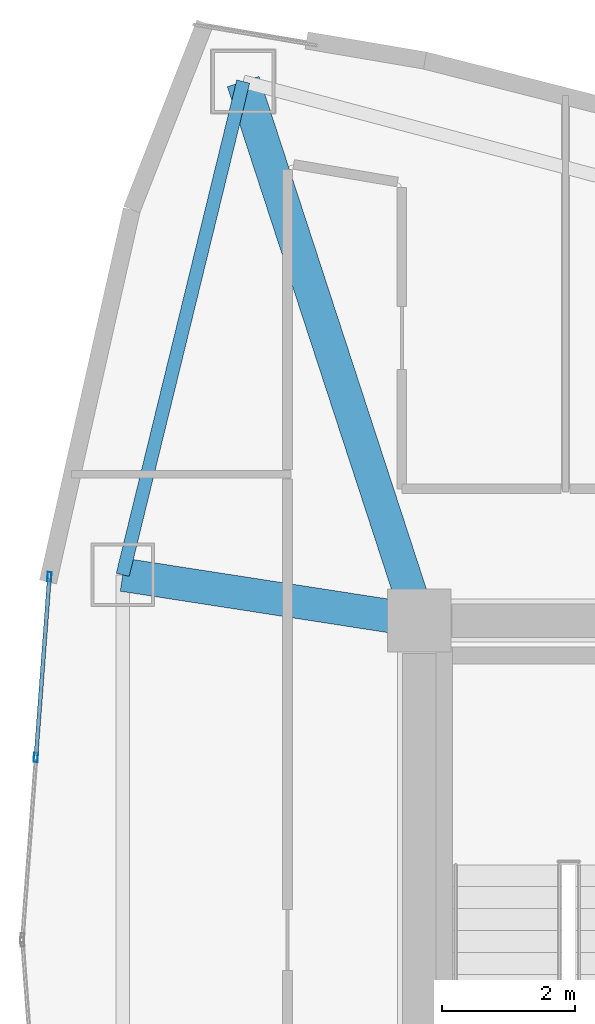
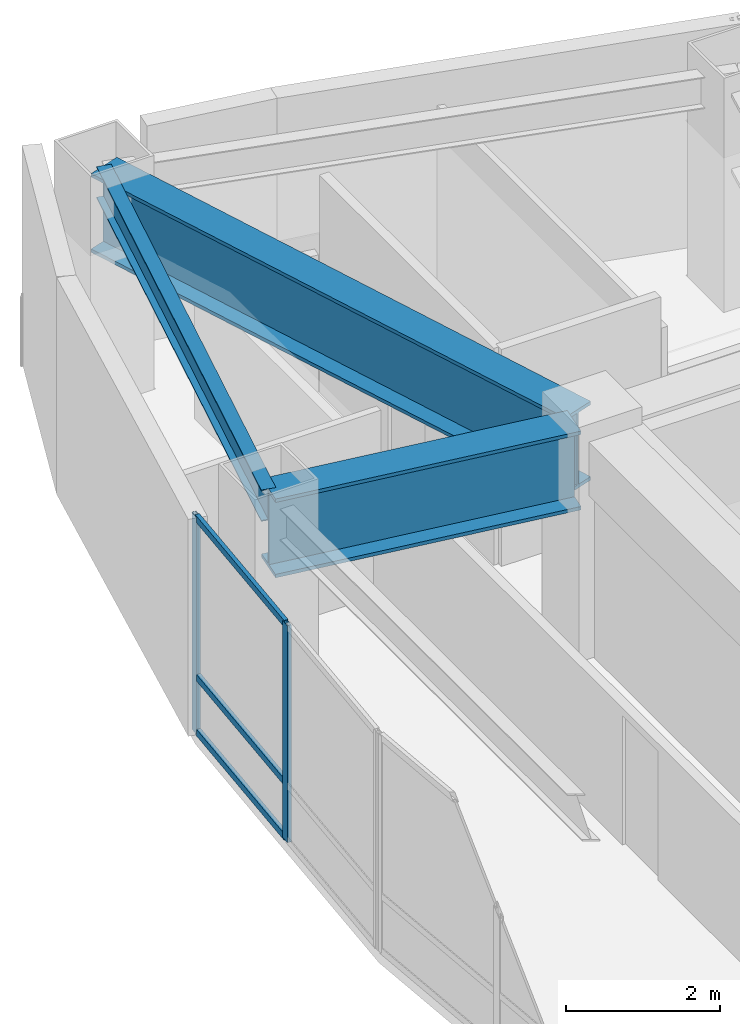
# One storey, part 7 of 15: 5 members, 3 beams, 1 element without a shape of its own.
"""IFC4 building model written with IfcOpenShell, lengths in metres."""

from ifc_helpers import new_model, si_unit, direction, frame, origin, origin_2d, place, context, subcontext, project, spatial, hollow_rectangle, i_section, extrude, material, layer, layer_set, material_profile, profile_set, type_object, element, aggregate, save


model = new_model("IFC4")

# Units and contexts
model_context = context("Model", 3, precision=1e-05, world=origin(), true_north=direction((0.0, 1.0)))
body_context = subcontext(model_context, "Body", "Model", "MODEL_VIEW")
ifc_project = project(units=[si_unit("LENGTHUNIT", "METRE"), si_unit("AREAUNIT", "SQUARE_METRE"), si_unit("VOLUMEUNIT", "CUBIC_METRE"), si_unit("PLANEANGLEUNIT", "RADIAN"), si_unit("MASSUNIT", "GRAM", prefix="KILO")], contexts=[model_context])

# Site, building, storey
site_placement = place(None, origin())
site = spatial("IfcSite", under=ifc_project, at=site_placement, CompositionType="ELEMENT")
building_placement = place(site_placement, origin())
building = spatial("IfcBuilding", under=site, at=building_placement, Name="Menara Vayukalpa", CompositionType="ELEMENT")
storey_placement = place(building_placement, frame((0.0, 0.0, 230.699951171875)))
storey = spatial("IfcBuildingStorey", under=building, at=storey_placement, Name="L58", CompositionType="ELEMENT", Elevation=230.699951171875)

# Beams
ifc_material_1 = material(Name="Steel S355", Category="steel")
ifc_material_profile_1 = material_profile(ifc_material_1, i_section(OverallWidth=0.199951171875, OverallDepth=0.5, WebThickness=0.010009765625, FlangeThickness=0.01611328125, at=origin_2d()), Name="WF 500x200x10x16")
ifc_profile_set_1 = profile_set([ifc_material_profile_1], Name="Steel S355")
beam_type_1 = type_object("IfcBeamType", Name="BM-SP3", PredefinedType="SPANDREL", material=ifc_profile_set_1)
beam_1_placement = place(storey_placement, frame((15.15478515625, 34.902587890625, 3.18994140625), z_axis=(-0.237285374413, -0.971439988414, 0.0), x_axis=(0.971439988414, -0.237285374413, 0.0)))
element("IfcBeam", 1, at=beam_1_placement, inside=storey, type_object=beam_type_1, Name="L58 Perimeter Spandrel Beam SP04", PredefinedType="SPANDREL", context=body_context, shape_type="SweptSolid", body=[
    extrude(i_section(OverallWidth=0.199951171875, OverallDepth=0.5, WebThickness=0.010009765625, FlangeThickness=0.01611328125, at=origin_2d()), origin(), (0.0, 0.0, 1.0), 7.63134765625),
])
ifc_material_2 = material(Name="Steel S460", Category="steel")
ifc_material_profile_2 = material_profile(ifc_material_2, i_section(OverallWidth=0.5, OverallDepth=1.25, WebThickness=0.028076171875, FlangeThickness=0.054931640625, at=origin_2d()), Name="WG 1250x500x28x55")
ifc_profile_set_2 = profile_set([ifc_material_profile_2], Name="Steel S460")
beam_type_2 = type_object("IfcBeamType", Name="BM-TG2", PredefinedType="BEAM", material=ifc_profile_set_2)
beam_2_placement = place(storey_placement, frame((17.722412109375, 27.03759765625, 2.81494140625), z_axis=(-0.310343552153, 0.950624468251, 0.0), x_axis=(-0.950624468251, -0.310343552153, 0.0)))
element("IfcBeam", 2, at=beam_2_placement, inside=storey, type_object=beam_type_2, Name="L58 Primary Radial Girder RG04", PredefinedType="BEAM", context=body_context, shape_type="SweptSolid", body=[
    extrude(i_section(OverallWidth=0.5, OverallDepth=1.25, WebThickness=0.028076171875, FlangeThickness=0.054931640625, at=origin_2d()), origin(), (0.0, 0.0, 1.0), 8.2734375),
])
beam_3_placement = place(storey_placement, frame((17.552978515625, 26.838134765625, 2.81494140625), z_axis=(-0.988244781219, 0.152879862617, 0.0), x_axis=(-0.152879862617, -0.988244781219, 0.0)))
element("IfcBeam", 3, at=beam_3_placement, inside=storey, type_object=beam_type_2, Name="L58 Primary Radial Girder RG05", PredefinedType="BEAM", context=body_context, shape_type="SweptSolid", body=[
    extrude(i_section(OverallWidth=0.5, OverallDepth=1.25, WebThickness=0.028076171875, FlangeThickness=0.054931640625, at=origin_2d()), origin(), (0.0, 0.0, 1.0), 4.259033203125),
])

# Curtain wall, members
ifc_material_3 = material(Name="Anodised Terracotta Aluminium Alloy 6063-T6", Category="masonry")
ifc_layer = layer(ifc_material_3, 0.139892578125)
ifc_layer_set = layer_set([ifc_layer], Name="Anodised Terracotta Aluminium Alloy 6063-T6")
curtain_wall_type = type_object("IfcCurtainWallType", Name="CW-CW5", PredefinedType="USERDEFINED", material=ifc_layer_set)
curtain_wall_placement = place(storey_placement, origin())
curtain_wall = element("IfcCurtainWall", 4, at=curtain_wall_placement, inside=storey, type_object=curtain_wall_type, Name="L58 High Rise Tapered Curtain Wall CW5 10", ObjectType="UNITISED", PredefinedType="USERDEFINED")
ifc_material_4 = material(Name="Anodised Terracotta Aluminium Alloy 6063-T6", Category="masonry")
ifc_material_profile_3 = material_profile(ifc_material_4, hollow_rectangle(XDim=0.06005859375, YDim=0.139892578125, WallThickness=0.00341796875, at=origin_2d()), Name="ALU 60x140x3.5")
ifc_profile_set_3 = profile_set([ifc_material_profile_3], Name="Anodised Terracotta Aluminium Alloy 6063-T6")
member_type_1 = type_object("IfcMemberType", Name="CWM-CW5", PredefinedType="MULLION", material=ifc_profile_set_3)
member_1_placement = place(storey_placement, frame((12.24169921875, 27.459228515625, 0.0), z_axis=(0.0, 0.0, 1.0), x_axis=(0.9971991744, -0.074791754736, 0.0)))
member_1 = element("IfcMember", 5, at=member_1_placement, type_object=member_type_1, Name="CW5 mullion 1", PredefinedType="MULLION", context=body_context, shape_type="SweptSolid", body=[
    extrude(hollow_rectangle(XDim=0.06005859375, YDim=0.139892578125, WallThickness=0.00341796875, at=origin_2d()), origin(), (0.0, 0.0, 1.0), 3.43994140625),
])
member_2_placement = place(storey_placement, frame((12.0380859375, 24.74462890625, 0.0), z_axis=(0.0, 0.0, 1.0), x_axis=(0.9971991744, -0.074791754736, 0.0)))
member_2 = element("IfcMember", 6, at=member_2_placement, type_object=member_type_1, Name="CW5 mullion 2", PredefinedType="MULLION", context=body_context, shape_type="SweptSolid", body=[
    extrude(hollow_rectangle(XDim=0.06005859375, YDim=0.139892578125, WallThickness=0.00341796875, at=origin_2d()), origin(), (0.0, 0.0, 1.0), 3.43994140625),
])
ifc_material_5 = material(Name="Anodised Terracotta Aluminium Alloy 6063-T6", Category="masonry")
ifc_material_profile_4 = material_profile(ifc_material_5, hollow_rectangle(XDim=0.06005859375, YDim=0.10498046875, WallThickness=0.0029296875, at=origin_2d()), Name="ALU 60x105x3")
ifc_profile_set_4 = profile_set([ifc_material_profile_4], Name="Anodised Terracotta Aluminium Alloy 6063-T6")
member_type_2 = type_object("IfcMemberType", Name="CWT-CW5", PredefinedType="USERDEFINED", material=ifc_profile_set_4)
member_3_placement = place(storey_placement, frame((12.239501953125, 27.429443359375, 0.030029296875), z_axis=(-0.074824141952, -0.997196744771, 0.0), x_axis=(0.997196744771, -0.074824141952, 0.0)))
member_3 = element("IfcMember", 7, at=member_3_placement, type_object=member_type_2, Name="CW5 transom 1.1", ObjectType="TRANSOM", PredefinedType="USERDEFINED", context=body_context, shape_type="SweptSolid", body=[
    extrude(hollow_rectangle(XDim=0.06005859375, YDim=0.10498046875, WallThickness=0.0029296875, at=origin_2d()), origin(), (0.0, 0.0, 1.0), 2.66259765625),
])
member_4_placement = place(storey_placement, frame((12.239501953125, 27.429443359375, 0.900146484375), z_axis=(-0.074824141952, -0.997196744771, 0.0), x_axis=(0.997196744771, -0.074824141952, 0.0)))
member_4 = element("IfcMember", 8, at=member_4_placement, type_object=member_type_2, Name="CW5 transom 1.2", ObjectType="TRANSOM", PredefinedType="USERDEFINED", context=body_context, shape_type="SweptSolid", body=[
    extrude(hollow_rectangle(XDim=0.06005859375, YDim=0.10498046875, WallThickness=0.0029296875, at=origin_2d()), origin(), (0.0, 0.0, 1.0), 2.66259765625),
])
member_5_placement = place(storey_placement, frame((12.239501953125, 27.429443359375, 3.41015625), z_axis=(-0.074824141952, -0.997196744771, 0.0), x_axis=(0.997196744771, -0.074824141952, 0.0)))
member_5 = element("IfcMember", 9, at=member_5_placement, type_object=member_type_2, Name="CW5 transom 1.3", ObjectType="TRANSOM", PredefinedType="USERDEFINED", context=body_context, shape_type="SweptSolid", body=[
    extrude(hollow_rectangle(XDim=0.06005859375, YDim=0.10498046875, WallThickness=0.0029296875, at=origin_2d()), origin(), (0.0, 0.0, 1.0), 2.66259765625),
])
aggregate(curtain_wall, [member_1, member_2, member_3, member_4, member_5])

save(model, "model.ifc")
